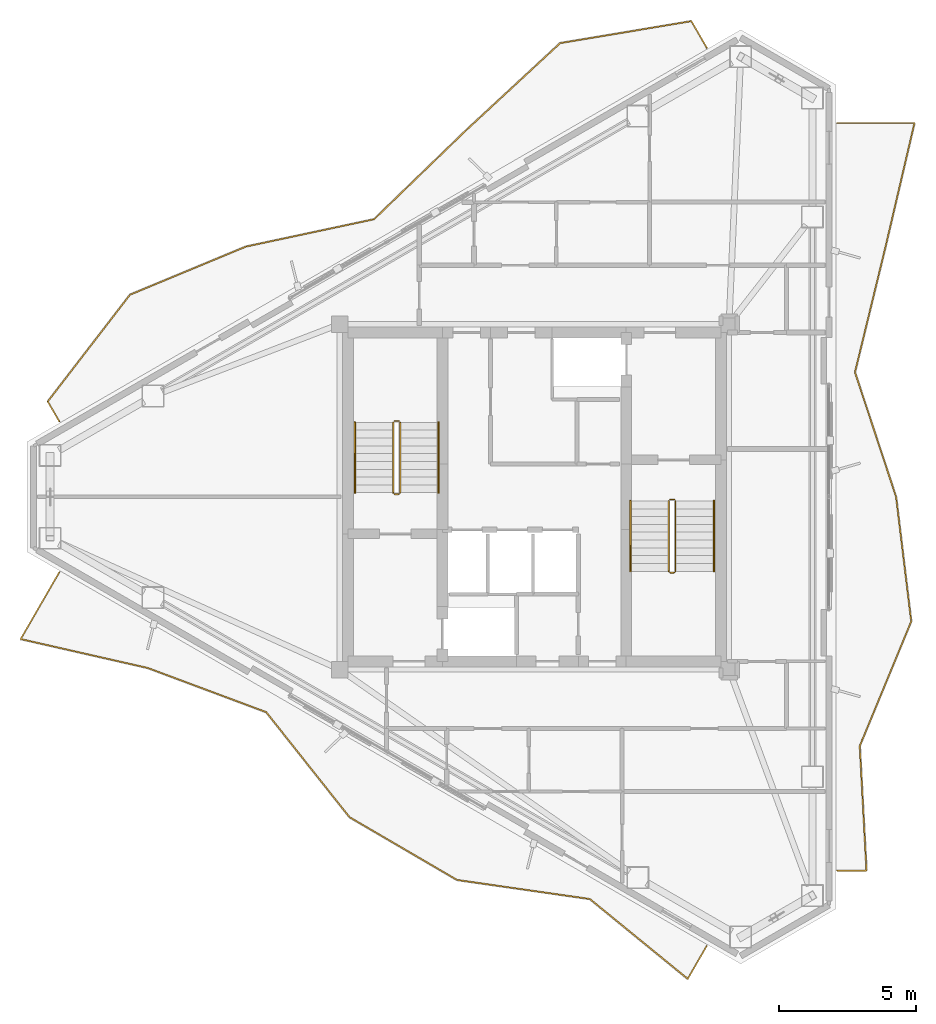
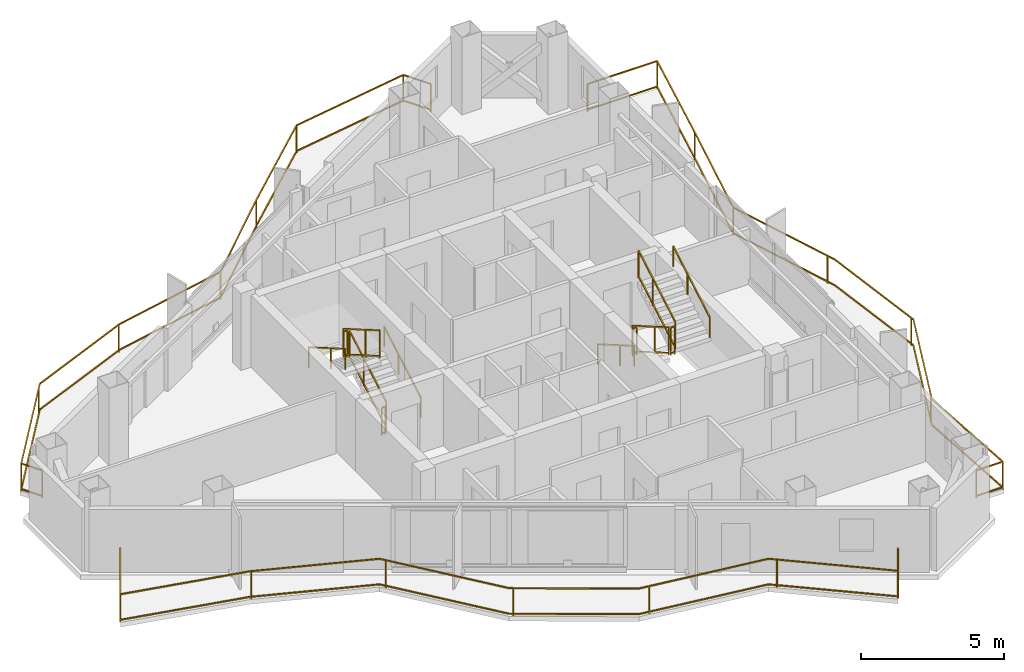
# One storey, part 18 of 18: 15 railings.
"""IFC4 building model written with IfcOpenShell, lengths in metres."""

from ifc_helpers import new_model, si_unit, direction, frame, origin, origin_2d, place, context, subcontext, project, spatial, rectangle, extrude, material, type_object, element, save


model = new_model("IFC4")

# Units and contexts
model_context = context("Model", 3, precision=1e-05, world=origin(), true_north=direction((0.0, 1.0)))
body_context = subcontext(model_context, "Body", "Model", "MODEL_VIEW")
ifc_project = project(units=[si_unit("LENGTHUNIT", "METRE"), si_unit("AREAUNIT", "SQUARE_METRE"), si_unit("VOLUMEUNIT", "CUBIC_METRE"), si_unit("PLANEANGLEUNIT", "RADIAN"), si_unit("MASSUNIT", "GRAM", prefix="KILO")], contexts=[model_context])

# Site, building, storey
site_placement = place(None, origin())
site = spatial("IfcSite", under=ifc_project, at=site_placement, CompositionType="ELEMENT")
building_placement = place(site_placement, origin())
building = spatial("IfcBuilding", under=site, at=building_placement, Name="Mersakhor Tower and Convention Hall", CompositionType="ELEMENT")
storey_placement = place(building_placement, frame((0.0, 0.0, 226.5)))
storey = spatial("IfcBuildingStorey", under=building, at=storey_placement, Name="L63", CompositionType="ELEMENT", Elevation=226.5)

# Railings
ifc_material_1 = material(Name="Powder-coated galvanised steel and laminated glass balustrade", Category="steel")
railing_type_1 = type_object("IfcRailingType", Name="RL-BAL-1200", PredefinedType="BALUSTRADE", material=ifc_material_1)
railing_1_placement = place(storey_placement, frame((35.287841796875, 43.13134765625, 0.0)))
element("IfcRailing", 1, at=railing_1_placement, inside=storey, type_object=railing_type_1, Name="L63 Sinusoidal Balcony Balustrade F1", PredefinedType="BALUSTRADE", context=body_context, shape_type="SweptSolid", body=[
    extrude(rectangle(XDim=0.048095703125, YDim=0.048095703125, at=origin_2d()), frame((0.0, 0.0, 1.17578125), z_axis=(-0.500005339912, 0.866022320763, 0.0), x_axis=(-0.866022320763, -0.500005339912, 0.0)), (0.0, 0.0, 1.0), 1.12060546875),
    extrude(rectangle(XDim=0.048095703125, YDim=0.048095703125, at=origin_2d()), frame((0.0, 0.0, 0.080078125), z_axis=(-0.500005339912, 0.866022320763, 0.0), x_axis=(-0.866022320763, -0.500005339912, 0.0)), (0.0, 0.0, 1.0), 1.12060546875),
    extrude(rectangle(XDim=0.048095703125, YDim=0.048095703125, at=origin_2d()), frame((-0.560302734375, 0.970458984375, 1.17578125), z_axis=(-0.986282198573, -0.165067939886, 0.0), x_axis=(0.165067939886, -0.986282198573, 0.0)), (0.0, 0.0, 1.0), 4.852783203125),
    extrude(rectangle(XDim=0.048095703125, YDim=0.048095703125, at=origin_2d()), frame((-0.560302734375, 0.970458984375, 0.080078125), z_axis=(-0.986282198573, -0.165067939886, 0.0), x_axis=(0.165067939886, -0.986282198573, 0.0)), (0.0, 0.0, 1.0), 4.852783203125),
    extrude(rectangle(XDim=0.048095703125, YDim=0.048095703125, at=origin_2d()), frame((-5.346435546875, 0.16943359375, 1.17578125), z_axis=(-0.733565300906, -0.679618973622, 0.0), x_axis=(0.679618973622, -0.733565300906, 0.0)), (0.0, 0.0, 1.0), 4.661376953125),
    extrude(rectangle(XDim=0.048095703125, YDim=0.048095703125, at=origin_2d()), frame((-5.346435546875, 0.16943359375, 0.080078125), z_axis=(-0.733565300906, -0.679618973622, 0.0), x_axis=(0.679618973622, -0.733565300906, 0.0)), (0.0, 0.0, 1.0), 4.661376953125),
    extrude(rectangle(XDim=0.048095703125, YDim=0.048095703125, at=origin_2d()), frame((-8.765869140625, -2.99853515625, 1.17578125), z_axis=(-0.718938899729, -0.695073275602, 0.0), x_axis=(0.695073275602, -0.718938899729, 0.0)), (0.0, 0.0, 1.0), 4.685302734375),
    extrude(rectangle(XDim=0.048095703125, YDim=0.048095703125, at=origin_2d()), frame((-8.765869140625, -2.99853515625, 0.080078125), z_axis=(-0.718938899729, -0.695073275602, 0.0), x_axis=(0.695073275602, -0.718938899729, 0.0)), (0.0, 0.0, 1.0), 4.685302734375),
    extrude(rectangle(XDim=0.048095703125, YDim=0.048095703125, at=origin_2d()), frame((-12.13427734375, -6.255126953125, 1.17578125), z_axis=(-0.977984494797, -0.208677569318, 0.0), x_axis=(0.208677569318, -0.977984494797, 0.0)), (0.0, 0.0, 1.0), 4.778076171875),
    extrude(rectangle(XDim=0.048095703125, YDim=0.048095703125, at=origin_2d()), frame((-12.13427734375, -6.255126953125, 0.080078125), z_axis=(-0.977984494797, -0.208677569318, 0.0), x_axis=(0.208677569318, -0.977984494797, 0.0)), (0.0, 0.0, 1.0), 4.778076171875),
    extrude(rectangle(XDim=0.048095703125, YDim=0.048095703125, at=origin_2d()), frame((-16.80712890625, -7.252197265625, 1.17578125), z_axis=(-0.923602337409, -0.383351956214, 0.0), x_axis=(0.383351956214, -0.923602337409, 0.0)), (0.0, 0.0, 1.0), 4.583984375),
    extrude(rectangle(XDim=0.048095703125, YDim=0.048095703125, at=origin_2d()), frame((-16.80712890625, -7.252197265625, 0.080078125), z_axis=(-0.923602337409, -0.383351956214, 0.0), x_axis=(0.383351956214, -0.923602337409, 0.0)), (0.0, 0.0, 1.0), 4.583984375),
    extrude(rectangle(XDim=0.048095703125, YDim=0.048095703125, at=origin_2d()), frame((-21.041015625, -9.009521484375, 1.17578125), z_axis=(-0.610113863601, -0.792313746846, 0.0), x_axis=(0.792313746846, -0.610113863601, 0.0)), (0.0, 0.0, 1.0), 4.916259765625),
    extrude(rectangle(XDim=0.048095703125, YDim=0.048095703125, at=origin_2d()), frame((-21.041015625, -9.009521484375, 0.080078125), z_axis=(-0.610113863601, -0.792313746846, 0.0), x_axis=(0.792313746846, -0.610113863601, 0.0)), (0.0, 0.0, 1.0), 4.916259765625),
    extrude(rectangle(XDim=0.048095703125, YDim=0.048095703125, at=origin_2d()), frame((-24.04052734375, -12.90478515625, 1.17578125), z_axis=(0.499964420222, -0.866045944804, 0.0), x_axis=(0.866045944804, 0.499964420222, 0.0)), (0.0, 0.0, 1.0), 0.84423828125),
    extrude(rectangle(XDim=0.048095703125, YDim=0.048095703125, at=origin_2d()), frame((-24.04052734375, -12.90478515625, 0.080078125), z_axis=(0.499964420222, -0.866045944804, 0.0), x_axis=(0.866045944804, 0.499964420222, 0.0)), (0.0, 0.0, 1.0), 0.84423828125),
    extrude(rectangle(XDim=0.0419921875, YDim=0.0419921875, at=origin_2d()), origin(), (0.0, 0.0, 1.0), 1.15185546875),
    extrude(rectangle(XDim=0.0419921875, YDim=0.0419921875, at=origin_2d()), frame((-0.560302734375, 0.970458984375, 0.0)), (0.0, 0.0, 1.0), 1.15185546875),
    extrude(rectangle(XDim=0.0419921875, YDim=0.0419921875, at=origin_2d()), frame((-5.346435546875, 0.16943359375, 0.0)), (0.0, 0.0, 1.0), 1.15185546875),
    extrude(rectangle(XDim=0.0419921875, YDim=0.0419921875, at=origin_2d()), frame((-8.865478515625, -3.094970703125, 0.0)), (0.0, 0.0, 1.0), 1.15185546875),
    extrude(rectangle(XDim=0.0419921875, YDim=0.0419921875, at=origin_2d()), frame((-12.13427734375, -6.255126953125, 0.0)), (0.0, 0.0, 1.0), 1.15185546875),
    extrude(rectangle(XDim=0.0419921875, YDim=0.0419921875, at=origin_2d()), frame((-16.827392578125, -7.260498046875, 0.0)), (0.0, 0.0, 1.0), 1.15185546875),
    extrude(rectangle(XDim=0.0419921875, YDim=0.0419921875, at=origin_2d()), frame((-21.18603515625, -9.197998046875, 0.0)), (0.0, 0.0, 1.0), 1.15185546875),
    extrude(rectangle(XDim=0.0419921875, YDim=0.0419921875, at=origin_2d()), frame((-24.04052734375, -12.90478515625, 0.0)), (0.0, 0.0, 1.0), 1.15185546875),
    extrude(rectangle(XDim=0.0419921875, YDim=0.0419921875, at=origin_2d()), frame((-23.618408203125, -13.635986328125, 0.0)), (0.0, 0.0, 1.0), 1.15185546875),
])
railing_2_placement = place(storey_placement, frame((40.042724609375, 13.114013671875, 0.0)))
element("IfcRailing", 2, at=railing_2_placement, inside=storey, type_object=railing_type_1, Name="L63 Sinusoidal Balcony Balustrade F2", PredefinedType="BALUSTRADE", context=body_context, shape_type="SweptSolid", body=[
    extrude(rectangle(XDim=0.048095703125, YDim=0.048095703125, at=origin_2d()), frame((0.0, 0.0, 1.17578125), z_axis=(1.0, 0.0, 0.0), x_axis=(0.0, 1.0, 0.0)), (0.0, 0.0, 1.0), 1.070068359375),
    extrude(rectangle(XDim=0.048095703125, YDim=0.048095703125, at=origin_2d()), frame((0.0, 0.0, 0.080078125), z_axis=(1.0, 0.0, 0.0), x_axis=(0.0, 1.0, 0.0)), (0.0, 0.0, 1.0), 1.070068359375),
    extrude(rectangle(XDim=0.048095703125, YDim=0.048095703125, at=origin_2d()), frame((1.070068359375, 0.0, 1.17578125), z_axis=(-0.053957913195, 0.998543210684, 0.0), x_axis=(-0.998543210684, -0.053957913195, 0.0)), (0.0, 0.0, 1.0), 4.5517578125),
    extrude(rectangle(XDim=0.048095703125, YDim=0.048095703125, at=origin_2d()), frame((1.070068359375, 0.0, 0.080078125), z_axis=(-0.053957913195, 0.998543210684, 0.0), x_axis=(-0.998543210684, -0.053957913195, 0.0)), (0.0, 0.0, 1.0), 4.5517578125),
    extrude(rectangle(XDim=0.048095703125, YDim=0.048095703125, at=origin_2d()), frame((0.824462890625, 4.545166015625, 1.17578125), z_axis=(0.381843122679, 0.924227152632, 0.0), x_axis=(-0.924227152632, 0.381843122679, 0.0)), (0.0, 0.0, 1.0), 4.91796875),
    extrude(rectangle(XDim=0.048095703125, YDim=0.048095703125, at=origin_2d()), frame((0.824462890625, 4.545166015625, 0.080078125), z_axis=(0.381843122679, 0.924227152632, 0.0), x_axis=(-0.924227152632, 0.381843122679, 0.0)), (0.0, 0.0, 1.0), 4.91796875),
    extrude(rectangle(XDim=0.048095703125, YDim=0.048095703125, at=origin_2d()), frame((2.702392578125, 9.090576171875, 1.17578125), z_axis=(-0.120713516098, 0.992687386356, 0.0), x_axis=(-0.992687386356, -0.120713516098, 0.0)), (0.0, 0.0, 1.0), 4.578857421875),
    extrude(rectangle(XDim=0.048095703125, YDim=0.048095703125, at=origin_2d()), frame((2.702392578125, 9.090576171875, 0.080078125), z_axis=(-0.120713516098, 0.992687386356, 0.0), x_axis=(-0.992687386356, -0.120713516098, 0.0)), (0.0, 0.0, 1.0), 4.578857421875),
    extrude(rectangle(XDim=0.048095703125, YDim=0.048095703125, at=origin_2d()), frame((2.149658203125, 13.635986328125, 1.17578125), z_axis=(-0.313288216101, 0.949658093027, 0.0), x_axis=(-0.949658093027, -0.313288216101, 0.0)), (0.0, 0.0, 1.0), 4.786376953125),
    extrude(rectangle(XDim=0.048095703125, YDim=0.048095703125, at=origin_2d()), frame((2.149658203125, 13.635986328125, 0.080078125), z_axis=(-0.313288216101, 0.949658093027, 0.0), x_axis=(-0.949658093027, -0.313288216101, 0.0)), (0.0, 0.0, 1.0), 4.786376953125),
    extrude(rectangle(XDim=0.048095703125, YDim=0.048095703125, at=origin_2d()), frame((0.650146484375, 18.181396484375, 1.17578125), z_axis=(0.236711099531, 0.971580081804, 0.0), x_axis=(-0.971580081804, 0.236711099531, 0.0)), (0.0, 0.0, 1.0), 4.678466796875),
    extrude(rectangle(XDim=0.048095703125, YDim=0.048095703125, at=origin_2d()), frame((0.650146484375, 18.181396484375, 0.080078125), z_axis=(0.236711099531, 0.971580081804, 0.0), x_axis=(-0.971580081804, 0.236711099531, 0.0)), (0.0, 0.0, 1.0), 4.678466796875),
    extrude(rectangle(XDim=0.048095703125, YDim=0.048095703125, at=origin_2d()), frame((1.757568359375, 22.726806640625, 1.17578125), z_axis=(0.22762807888, 0.973748149013, 0.0), x_axis=(-0.973748149013, 0.22762807888, 0.0)), (0.0, 0.0, 1.0), 4.667724609375),
    extrude(rectangle(XDim=0.048095703125, YDim=0.048095703125, at=origin_2d()), frame((1.757568359375, 22.726806640625, 0.080078125), z_axis=(0.22762807888, 0.973748149013, 0.0), x_axis=(-0.973748149013, 0.22762807888, 0.0)), (0.0, 0.0, 1.0), 4.667724609375),
    extrude(rectangle(XDim=0.048095703125, YDim=0.048095703125, at=origin_2d()), frame((2.820068359375, 27.27197265625, 1.17578125), z_axis=(-1.0, 0.0, 0.0), x_axis=(0.0, -1.0, 0.0)), (0.0, 0.0, 1.0), 2.820068359375),
    extrude(rectangle(XDim=0.048095703125, YDim=0.048095703125, at=origin_2d()), frame((2.820068359375, 27.27197265625, 0.080078125), z_axis=(-1.0, 0.0, 0.0), x_axis=(0.0, -1.0, 0.0)), (0.0, 0.0, 1.0), 2.820068359375),
    extrude(rectangle(XDim=0.0419921875, YDim=0.0419921875, at=origin_2d()), origin(), (0.0, 0.0, 1.0), 1.15185546875),
    extrude(rectangle(XDim=0.0419921875, YDim=0.0419921875, at=origin_2d()), frame((1.070068359375, 0.0, 0.0)), (0.0, 0.0, 1.0), 1.15185546875),
    extrude(rectangle(XDim=0.0419921875, YDim=0.0419921875, at=origin_2d()), frame((0.919189453125, 4.774658203125, 0.0)), (0.0, 0.0, 1.0), 1.15185546875),
    extrude(rectangle(XDim=0.0419921875, YDim=0.0419921875, at=origin_2d()), frame((2.686767578125, 9.2197265625, 0.0)), (0.0, 0.0, 1.0), 1.15185546875),
    extrude(rectangle(XDim=0.0419921875, YDim=0.0419921875, at=origin_2d()), frame((2.03955078125, 13.969482421875, 0.0)), (0.0, 0.0, 1.0), 1.15185546875),
    extrude(rectangle(XDim=0.0419921875, YDim=0.0419921875, at=origin_2d()), frame((0.650146484375, 18.181396484375, 0.0)), (0.0, 0.0, 1.0), 1.15185546875),
    extrude(rectangle(XDim=0.0419921875, YDim=0.0419921875, at=origin_2d()), frame((1.78515625, 22.84521484375, 0.0)), (0.0, 0.0, 1.0), 1.15185546875),
    extrude(rectangle(XDim=0.0419921875, YDim=0.0419921875, at=origin_2d()), frame((2.820068359375, 27.27197265625, 0.0)), (0.0, 0.0, 1.0), 1.15185546875),
    extrude(rectangle(XDim=0.0419921875, YDim=0.0419921875, at=origin_2d()), frame((0.0, 27.27197265625, 0.0)), (0.0, 0.0, 1.0), 1.15185546875),
])
railing_3_placement = place(storey_placement, frame((11.66943359375, 24.004638671875, 0.0)))
element("IfcRailing", 3, at=railing_3_placement, inside=storey, type_object=railing_type_1, Name="L63 Sinusoidal Balcony Balustrade F3", PredefinedType="BALUSTRADE", context=body_context, shape_type="SweptSolid", body=[
    extrude(rectangle(XDim=0.048095703125, YDim=0.048095703125, at=origin_2d()), frame((0.0, 0.0, 1.17578125), z_axis=(-0.499984757355, -0.866034203951, 0.0), x_axis=(0.866034203951, -0.499984757355, 0.0)), (0.0, 0.0, 1.0), 2.81982421875),
    extrude(rectangle(XDim=0.048095703125, YDim=0.048095703125, at=origin_2d()), frame((0.0, 0.0, 0.080078125), z_axis=(-0.499984757355, -0.866034203951, 0.0), x_axis=(0.866034203951, -0.499984757355, 0.0)), (0.0, 0.0, 1.0), 2.81982421875),
    extrude(rectangle(XDim=0.048095703125, YDim=0.048095703125, at=origin_2d()), frame((-1.409912109375, -2.442138671875, 1.17578125), z_axis=(0.975084441348, -0.221834019574, 0.0), x_axis=(0.221834019574, 0.975084441348, 0.0)), (0.0, 0.0, 1.0), 4.7578125),
    extrude(rectangle(XDim=0.048095703125, YDim=0.048095703125, at=origin_2d()), frame((-1.409912109375, -2.442138671875, 0.080078125), z_axis=(0.975084441348, -0.221834019574, 0.0), x_axis=(0.221834019574, 0.975084441348, 0.0)), (0.0, 0.0, 1.0), 4.7578125),
    extrude(rectangle(XDim=0.048095703125, YDim=0.048095703125, at=origin_2d()), frame((3.229248046875, -3.49755859375, 1.17578125), z_axis=(0.936961099966, -0.349433680619, 0.0), x_axis=(0.349433680619, 0.936961099966, 0.0)), (0.0, 0.0, 1.0), 4.609130859375),
    extrude(rectangle(XDim=0.048095703125, YDim=0.048095703125, at=origin_2d()), frame((3.229248046875, -3.49755859375, 0.080078125), z_axis=(0.936961099966, -0.349433680619, 0.0), x_axis=(0.349433680619, 0.936961099966, 0.0)), (0.0, 0.0, 1.0), 4.609130859375),
    extrude(rectangle(XDim=0.048095703125, YDim=0.048095703125, at=origin_2d()), frame((7.5478515625, -5.108154296875, 1.17578125), z_axis=(0.621327044745, -0.783551340672, 0.0), x_axis=(0.783551340672, 0.621327044745, 0.0)), (0.0, 0.0, 1.0), 4.88818359375),
    extrude(rectangle(XDim=0.048095703125, YDim=0.048095703125, at=origin_2d()), frame((7.5478515625, -5.108154296875, 0.080078125), z_axis=(0.621327044745, -0.783551340672, 0.0), x_axis=(0.783551340672, 0.621327044745, 0.0)), (0.0, 0.0, 1.0), 4.88818359375),
    extrude(rectangle(XDim=0.048095703125, YDim=0.048095703125, at=origin_2d()), frame((10.5849609375, -8.938232421875, 1.17578125), z_axis=(0.863587923327, -0.504198273185, 0.0), x_axis=(0.504198273185, 0.863587923327, 0.0)), (0.0, 0.0, 1.0), 4.54541015625),
    extrude(rectangle(XDim=0.048095703125, YDim=0.048095703125, at=origin_2d()), frame((10.5849609375, -8.938232421875, 0.080078125), z_axis=(0.863587923327, -0.504198273185, 0.0), x_axis=(0.504198273185, 0.863587923327, 0.0)), (0.0, 0.0, 1.0), 4.54541015625),
    extrude(rectangle(XDim=0.048095703125, YDim=0.048095703125, at=origin_2d()), frame((14.51025390625, -11.22998046875, 1.17578125), z_axis=(0.989837496646, -0.142203130185, 0.0), x_axis=(0.142203130185, 0.989837496646, 0.0)), (0.0, 0.0, 1.0), 4.896484375),
    extrude(rectangle(XDim=0.048095703125, YDim=0.048095703125, at=origin_2d()), frame((14.51025390625, -11.22998046875, 0.080078125), z_axis=(0.989837496646, -0.142203130185, 0.0), x_axis=(0.142203130185, 0.989837496646, 0.0)), (0.0, 0.0, 1.0), 4.896484375),
    extrude(rectangle(XDim=0.048095703125, YDim=0.048095703125, at=origin_2d()), frame((19.35693359375, -11.92626953125, 1.17578125), z_axis=(0.7748588702, -0.632134266808, 0.0), x_axis=(0.632134266808, 0.7748588702, 0.0)), (0.0, 0.0, 1.0), 4.604736328125),
    extrude(rectangle(XDim=0.048095703125, YDim=0.048095703125, at=origin_2d()), frame((19.35693359375, -11.92626953125, 0.080078125), z_axis=(0.7748588702, -0.632134266808, 0.0), x_axis=(0.632134266808, 0.7748588702, 0.0)), (0.0, 0.0, 1.0), 4.604736328125),
    extrude(rectangle(XDim=0.048095703125, YDim=0.048095703125, at=origin_2d()), frame((22.925048828125, -14.837158203125, 1.17578125), z_axis=(0.499925626596, 0.866068339032, 0.0), x_axis=(-0.866068339032, 0.499925626596, 0.0)), (0.0, 0.0, 1.0), 1.386962890625),
    extrude(rectangle(XDim=0.048095703125, YDim=0.048095703125, at=origin_2d()), frame((22.925048828125, -14.837158203125, 0.080078125), z_axis=(0.499925626596, 0.866068339032, 0.0), x_axis=(-0.866068339032, 0.499925626596, 0.0)), (0.0, 0.0, 1.0), 1.386962890625),
    extrude(rectangle(XDim=0.0419921875, YDim=0.0419921875, at=origin_2d()), origin(), (0.0, 0.0, 1.0), 1.15185546875),
    extrude(rectangle(XDim=0.0419921875, YDim=0.0419921875, at=origin_2d()), frame((-1.409912109375, -2.442138671875, 0.0)), (0.0, 0.0, 1.0), 1.15185546875),
    extrude(rectangle(XDim=0.0419921875, YDim=0.0419921875, at=origin_2d()), frame((3.268798828125, -3.512451171875, 0.0)), (0.0, 0.0, 1.0), 1.15185546875),
    extrude(rectangle(XDim=0.0419921875, YDim=0.0419921875, at=origin_2d()), frame((7.692626953125, -5.290771484375, 0.0)), (0.0, 0.0, 1.0), 1.15185546875),
    extrude(rectangle(XDim=0.0419921875, YDim=0.0419921875, at=origin_2d()), frame((10.710205078125, -9.011474609375, 0.0)), (0.0, 0.0, 1.0), 1.15185546875),
    extrude(rectangle(XDim=0.0419921875, YDim=0.0419921875, at=origin_2d()), frame((14.906005859375, -11.286865234375, 0.0)), (0.0, 0.0, 1.0), 1.15185546875),
    extrude(rectangle(XDim=0.0419921875, YDim=0.0419921875, at=origin_2d()), frame((19.592041015625, -12.117919921875, 0.0)), (0.0, 0.0, 1.0), 1.15185546875),
    extrude(rectangle(XDim=0.0419921875, YDim=0.0419921875, at=origin_2d()), frame((22.925048828125, -14.837158203125, 0.0)), (0.0, 0.0, 1.0), 1.15185546875),
    extrude(rectangle(XDim=0.0419921875, YDim=0.0419921875, at=origin_2d()), frame((23.618408203125, -13.635986328125, 0.0)), (0.0, 0.0, 1.0), 1.15185546875),
])
ifc_material_2 = material(Name="Brushed stainless steel handrail", Category="steel")
railing_type_2 = type_object("IfcRailingType", Name="RL-HR-900", PredefinedType="HANDRAIL", material=ifc_material_2)
railing_4_placement = place(storey_placement, frame((25.5, 26.89990234375, 0.1650390625)))
element("IfcRailing", 4, at=railing_4_placement, inside=storey, type_object=railing_type_2, Name="L63 ST-1 stair handrail 1", PredefinedType="HANDRAIL", context=body_context, shape_type="SweptSolid", body=[
    extrude(rectangle(XDim=0.048095703125, YDim=0.048095703125, at=origin_2d()), frame((0.0, 0.0, 0.8759765625), z_axis=(0.0, 0.865461999751, 0.500974577186), x_axis=(-1.0, 0.0, 0.0)), (0.0, 0.0, 1.0), 2.9638671875),
    extrude(rectangle(XDim=0.0419921875, YDim=0.0419921875, at=origin_2d()), origin(), (0.0, 0.0, 1.0), 0.851806640625),
    extrude(rectangle(XDim=0.0419921875, YDim=0.0419921875, at=origin_2d()), frame((0.0, 1.557861328125, 0.90185546875)), (0.0, 0.0, 1.0), 0.851806640625),
    extrude(rectangle(XDim=0.0419921875, YDim=0.0419921875, at=origin_2d()), frame((0.0, 2.565185546875, 1.48486328125)), (0.0, 0.0, 1.0), 0.851806640625),
])
railing_5_placement = place(storey_placement, frame((22.449951171875, 29.465087890625, 1.81494140625)))
element("IfcRailing", 5, at=railing_5_placement, inside=storey, type_object=railing_type_2, Name="L63 ST-1 stair handrail 2", PredefinedType="HANDRAIL", context=body_context, shape_type="SweptSolid", body=[
    extrude(rectangle(XDim=0.048095703125, YDim=0.048095703125, at=origin_2d()), frame((0.0, 0.0, 0.8759765625), z_axis=(0.0, -0.865426285481, 0.501036270542), x_axis=(1.0, 0.0, 0.0)), (0.0, 0.0, 1.0), 2.964111328125),
    extrude(rectangle(XDim=0.0419921875, YDim=0.0419921875, at=origin_2d()), origin(), (0.0, 0.0, 1.0), 0.851806640625),
    extrude(rectangle(XDim=0.0419921875, YDim=0.0419921875, at=origin_2d()), frame((0.0, -1.557861328125, 0.90185546875)), (0.0, 0.0, 1.0), 0.851806640625),
    extrude(rectangle(XDim=0.0419921875, YDim=0.0419921875, at=origin_2d()), frame((0.0, -2.565185546875, 1.485107421875)), (0.0, 0.0, 1.0), 0.851806640625),
])
railing_6_placement = place(storey_placement, frame((32.5, 26.60009765625, 0.1650390625)))
element("IfcRailing", 6, at=railing_6_placement, inside=storey, type_object=railing_type_2, Name="L63 ST-2 stair handrail 1", PredefinedType="HANDRAIL", context=body_context, shape_type="SweptSolid", body=[
    extrude(rectangle(XDim=0.048095703125, YDim=0.048095703125, at=origin_2d()), frame((0.0, 0.0, 0.8759765625), z_axis=(0.0, -0.865461999751, 0.500974577186), x_axis=(1.0, 0.0, 0.0)), (0.0, 0.0, 1.0), 2.9638671875),
    extrude(rectangle(XDim=0.0419921875, YDim=0.0419921875, at=origin_2d()), origin(), (0.0, 0.0, 1.0), 0.851806640625),
    extrude(rectangle(XDim=0.0419921875, YDim=0.0419921875, at=origin_2d()), frame((0.0, -1.557861328125, 0.90185546875)), (0.0, 0.0, 1.0), 0.851806640625),
    extrude(rectangle(XDim=0.0419921875, YDim=0.0419921875, at=origin_2d()), frame((0.0, -2.565185546875, 1.48486328125)), (0.0, 0.0, 1.0), 0.851806640625),
])
railing_7_placement = place(storey_placement, frame((35.550048828125, 24.034912109375, 1.81494140625)))
element("IfcRailing", 7, at=railing_7_placement, inside=storey, type_object=railing_type_2, Name="L63 ST-2 stair handrail 2", PredefinedType="HANDRAIL", context=body_context, shape_type="SweptSolid", body=[
    extrude(rectangle(XDim=0.048095703125, YDim=0.048095703125, at=origin_2d()), frame((0.0, 0.0, 0.8759765625), z_axis=(0.0, 0.865426285481, 0.501036270542), x_axis=(-1.0, 0.0, 0.0)), (0.0, 0.0, 1.0), 2.964111328125),
    extrude(rectangle(XDim=0.0419921875, YDim=0.0419921875, at=origin_2d()), origin(), (0.0, 0.0, 1.0), 0.851806640625),
    extrude(rectangle(XDim=0.0419921875, YDim=0.0419921875, at=origin_2d()), frame((0.0, 1.557861328125, 0.90185546875)), (0.0, 0.0, 1.0), 0.851806640625),
    extrude(rectangle(XDim=0.0419921875, YDim=0.0419921875, at=origin_2d()), frame((0.0, 2.565185546875, 1.485107421875)), (0.0, 0.0, 1.0), 0.851806640625),
])
ifc_material_3 = material(Name="Painted steel stair balustrade S355", Category="steel")
railing_type_3 = type_object("IfcRailingType", Name="RL-STG-1200", PredefinedType="BALUSTRADE", material=ifc_material_3)
railing_8_placement = place(storey_placement, frame((24.10009765625, 26.89990234375, 0.1650390625)))
element("IfcRailing", 8, at=railing_8_placement, inside=storey, type_object=railing_type_3, Name="L63 ST-1 stair guard 1", PredefinedType="BALUSTRADE", context=body_context, shape_type="SweptSolid", body=[
    extrude(rectangle(XDim=0.048095703125, YDim=0.048095703125, at=origin_2d()), frame((0.0, 0.0, 1.17578125), z_axis=(0.0, 0.865461999751, 0.500974577186), x_axis=(-1.0, 0.0, 0.0)), (0.0, 0.0, 1.0), 2.9638671875),
    extrude(rectangle(XDim=0.048095703125, YDim=0.048095703125, at=origin_2d()), frame((0.0, 0.0, 0.080078125), z_axis=(0.0, 0.865461999751, 0.500974577186), x_axis=(-1.0, 0.0, 0.0)), (0.0, 0.0, 1.0), 2.9638671875),
    extrude(rectangle(XDim=0.0419921875, YDim=0.0419921875, at=origin_2d()), origin(), (0.0, 0.0, 1.0), 1.15185546875),
    extrude(rectangle(XDim=0.0419921875, YDim=0.0419921875, at=origin_2d()), frame((0.0, 1.557861328125, 0.90185546875)), (0.0, 0.0, 1.0), 1.15185546875),
    extrude(rectangle(XDim=0.0419921875, YDim=0.0419921875, at=origin_2d()), frame((0.0, 2.565185546875, 1.48486328125)), (0.0, 0.0, 1.0), 1.15185546875),
])
railing_9_placement = place(storey_placement, frame((24.050048828125, 29.514892578125, 1.64990234375)))
element("IfcRailing", 9, at=railing_9_placement, inside=storey, type_object=railing_type_3, Name="L63 ST-1 stair guard 2", PredefinedType="BALUSTRADE", context=body_context, shape_type="SweptSolid", body=[
    extrude(rectangle(XDim=0.048095703125, YDim=0.048095703125, at=origin_2d()), frame((0.0, 0.0, 1.17578125), z_axis=(-1.0, 0.0, 0.0), x_axis=(0.0, -1.0, 0.0)), (0.0, 0.0, 1.0), 0.150146484375),
    extrude(rectangle(XDim=0.048095703125, YDim=0.048095703125, at=origin_2d()), frame((0.0, 0.0, 0.080078125), z_axis=(-1.0, 0.0, 0.0), x_axis=(0.0, -1.0, 0.0)), (0.0, 0.0, 1.0), 0.150146484375),
    extrude(rectangle(XDim=0.0419921875, YDim=0.0419921875, at=origin_2d()), origin(), (0.0, 0.0, 1.0), 1.15185546875),
    extrude(rectangle(XDim=0.0419921875, YDim=0.0419921875, at=origin_2d()), frame((-0.150146484375, 0.0, 0.0)), (0.0, 0.0, 1.0), 1.15185546875),
])
railing_10_placement = place(storey_placement, frame((23.85009765625, 29.465087890625, 1.81494140625)))
element("IfcRailing", 10, at=railing_10_placement, inside=storey, type_object=railing_type_3, Name="L63 ST-1 stair guard 3", PredefinedType="BALUSTRADE", context=body_context, shape_type="SweptSolid", body=[
    extrude(rectangle(XDim=0.048095703125, YDim=0.048095703125, at=origin_2d()), frame((0.0, 0.0, 1.17578125), z_axis=(0.0, -0.865426285481, 0.501036270542), x_axis=(1.0, 0.0, 0.0)), (0.0, 0.0, 1.0), 2.964111328125),
    extrude(rectangle(XDim=0.048095703125, YDim=0.048095703125, at=origin_2d()), frame((0.0, 0.0, 0.080078125), z_axis=(0.0, -0.865426285481, 0.501036270542), x_axis=(1.0, 0.0, 0.0)), (0.0, 0.0, 1.0), 2.964111328125),
    extrude(rectangle(XDim=0.0419921875, YDim=0.0419921875, at=origin_2d()), origin(), (0.0, 0.0, 1.0), 1.15185546875),
    extrude(rectangle(XDim=0.0419921875, YDim=0.0419921875, at=origin_2d()), frame((0.0, -1.557861328125, 0.90185546875)), (0.0, 0.0, 1.0), 1.15185546875),
    extrude(rectangle(XDim=0.0419921875, YDim=0.0419921875, at=origin_2d()), frame((0.0, -2.565185546875, 1.485107421875)), (0.0, 0.0, 1.0), 1.15185546875),
])
railing_11_placement = place(storey_placement, frame((24.050048828125, 26.85009765625, 0.0)))
element("IfcRailing", 11, at=railing_11_placement, inside=storey, type_object=railing_type_3, Name="L63 ST-1 stair guard 4", PredefinedType="BALUSTRADE", context=body_context, shape_type="SweptSolid", body=[
    extrude(rectangle(XDim=0.048095703125, YDim=0.048095703125, at=origin_2d()), frame((0.0, 0.0, 1.17578125), z_axis=(-1.0, 0.0, 0.0), x_axis=(0.0, -1.0, 0.0)), (0.0, 0.0, 1.0), 0.150146484375),
    extrude(rectangle(XDim=0.048095703125, YDim=0.048095703125, at=origin_2d()), frame((0.0, 0.0, 0.080078125), z_axis=(-1.0, 0.0, 0.0), x_axis=(0.0, -1.0, 0.0)), (0.0, 0.0, 1.0), 0.150146484375),
    extrude(rectangle(XDim=0.0419921875, YDim=0.0419921875, at=origin_2d()), origin(), (0.0, 0.0, 1.0), 1.15185546875),
    extrude(rectangle(XDim=0.0419921875, YDim=0.0419921875, at=origin_2d()), frame((-0.150146484375, 0.0, 0.0)), (0.0, 0.0, 1.0), 1.15185546875),
])
railing_12_placement = place(storey_placement, frame((33.89990234375, 26.60009765625, 0.1650390625)))
element("IfcRailing", 12, at=railing_12_placement, inside=storey, type_object=railing_type_3, Name="L63 ST-2 stair guard 1", PredefinedType="BALUSTRADE", context=body_context, shape_type="SweptSolid", body=[
    extrude(rectangle(XDim=0.048095703125, YDim=0.048095703125, at=origin_2d()), frame((0.0, 0.0, 1.17578125), z_axis=(0.0, -0.865461999751, 0.500974577186), x_axis=(1.0, 0.0, 0.0)), (0.0, 0.0, 1.0), 2.9638671875),
    extrude(rectangle(XDim=0.048095703125, YDim=0.048095703125, at=origin_2d()), frame((0.0, 0.0, 0.080078125), z_axis=(0.0, -0.865461999751, 0.500974577186), x_axis=(1.0, 0.0, 0.0)), (0.0, 0.0, 1.0), 2.9638671875),
    extrude(rectangle(XDim=0.0419921875, YDim=0.0419921875, at=origin_2d()), origin(), (0.0, 0.0, 1.0), 1.15185546875),
    extrude(rectangle(XDim=0.0419921875, YDim=0.0419921875, at=origin_2d()), frame((0.0, -1.557861328125, 0.90185546875)), (0.0, 0.0, 1.0), 1.15185546875),
    extrude(rectangle(XDim=0.0419921875, YDim=0.0419921875, at=origin_2d()), frame((0.0, -2.565185546875, 1.48486328125)), (0.0, 0.0, 1.0), 1.15185546875),
])
railing_13_placement = place(storey_placement, frame((33.949951171875, 23.985107421875, 1.64990234375)))
element("IfcRailing", 13, at=railing_13_placement, inside=storey, type_object=railing_type_3, Name="L63 ST-2 stair guard 2", PredefinedType="BALUSTRADE", context=body_context, shape_type="SweptSolid", body=[
    extrude(rectangle(XDim=0.048095703125, YDim=0.048095703125, at=origin_2d()), frame((0.0, 0.0, 1.17578125), z_axis=(1.0, 0.0, 0.0), x_axis=(0.0, 1.0, 0.0)), (0.0, 0.0, 1.0), 0.150146484375),
    extrude(rectangle(XDim=0.048095703125, YDim=0.048095703125, at=origin_2d()), frame((0.0, 0.0, 0.080078125), z_axis=(1.0, 0.0, 0.0), x_axis=(0.0, 1.0, 0.0)), (0.0, 0.0, 1.0), 0.150146484375),
    extrude(rectangle(XDim=0.0419921875, YDim=0.0419921875, at=origin_2d()), origin(), (0.0, 0.0, 1.0), 1.15185546875),
    extrude(rectangle(XDim=0.0419921875, YDim=0.0419921875, at=origin_2d()), frame((0.150146484375, 0.0, 0.0)), (0.0, 0.0, 1.0), 1.15185546875),
])
railing_14_placement = place(storey_placement, frame((34.14990234375, 24.034912109375, 1.81494140625)))
element("IfcRailing", 14, at=railing_14_placement, inside=storey, type_object=railing_type_3, Name="L63 ST-2 stair guard 3", PredefinedType="BALUSTRADE", context=body_context, shape_type="SweptSolid", body=[
    extrude(rectangle(XDim=0.048095703125, YDim=0.048095703125, at=origin_2d()), frame((0.0, 0.0, 1.17578125), z_axis=(0.0, 0.865426285481, 0.501036270542), x_axis=(-1.0, 0.0, 0.0)), (0.0, 0.0, 1.0), 2.964111328125),
    extrude(rectangle(XDim=0.048095703125, YDim=0.048095703125, at=origin_2d()), frame((0.0, 0.0, 0.080078125), z_axis=(0.0, 0.865426285481, 0.501036270542), x_axis=(-1.0, 0.0, 0.0)), (0.0, 0.0, 1.0), 2.964111328125),
    extrude(rectangle(XDim=0.0419921875, YDim=0.0419921875, at=origin_2d()), origin(), (0.0, 0.0, 1.0), 1.15185546875),
    extrude(rectangle(XDim=0.0419921875, YDim=0.0419921875, at=origin_2d()), frame((0.0, 1.557861328125, 0.90185546875)), (0.0, 0.0, 1.0), 1.15185546875),
    extrude(rectangle(XDim=0.0419921875, YDim=0.0419921875, at=origin_2d()), frame((0.0, 2.565185546875, 1.485107421875)), (0.0, 0.0, 1.0), 1.15185546875),
])
railing_15_placement = place(storey_placement, frame((33.949951171875, 26.64990234375, 0.0)))
element("IfcRailing", 15, at=railing_15_placement, inside=storey, type_object=railing_type_3, Name="L63 ST-2 stair guard 4", PredefinedType="BALUSTRADE", context=body_context, shape_type="SweptSolid", body=[
    extrude(rectangle(XDim=0.048095703125, YDim=0.048095703125, at=origin_2d()), frame((0.0, 0.0, 1.17578125), z_axis=(1.0, 0.0, 0.0), x_axis=(0.0, 1.0, 0.0)), (0.0, 0.0, 1.0), 0.150146484375),
    extrude(rectangle(XDim=0.048095703125, YDim=0.048095703125, at=origin_2d()), frame((0.0, 0.0, 0.080078125), z_axis=(1.0, 0.0, 0.0), x_axis=(0.0, 1.0, 0.0)), (0.0, 0.0, 1.0), 0.150146484375),
    extrude(rectangle(XDim=0.0419921875, YDim=0.0419921875, at=origin_2d()), origin(), (0.0, 0.0, 1.0), 1.15185546875),
    extrude(rectangle(XDim=0.0419921875, YDim=0.0419921875, at=origin_2d()), frame((0.150146484375, 0.0, 0.0)), (0.0, 0.0, 1.0), 1.15185546875),
])

save(model, "model.ifc")
